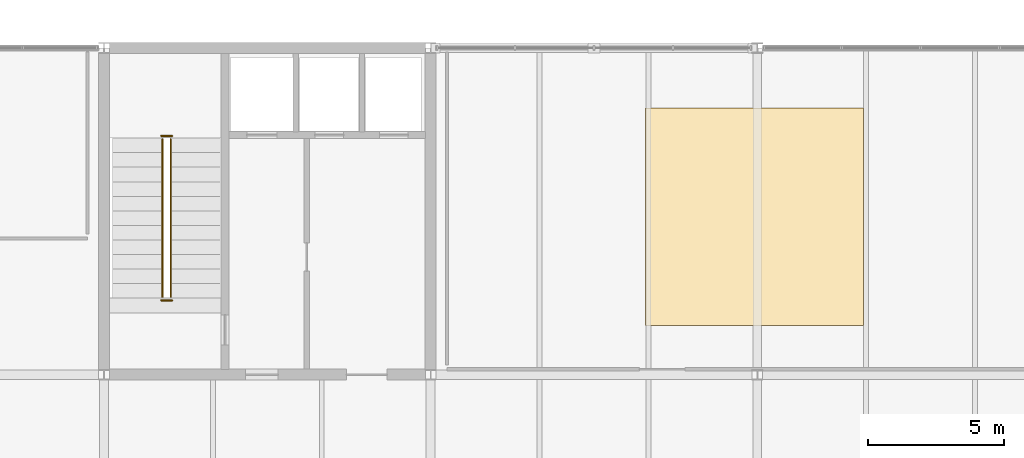
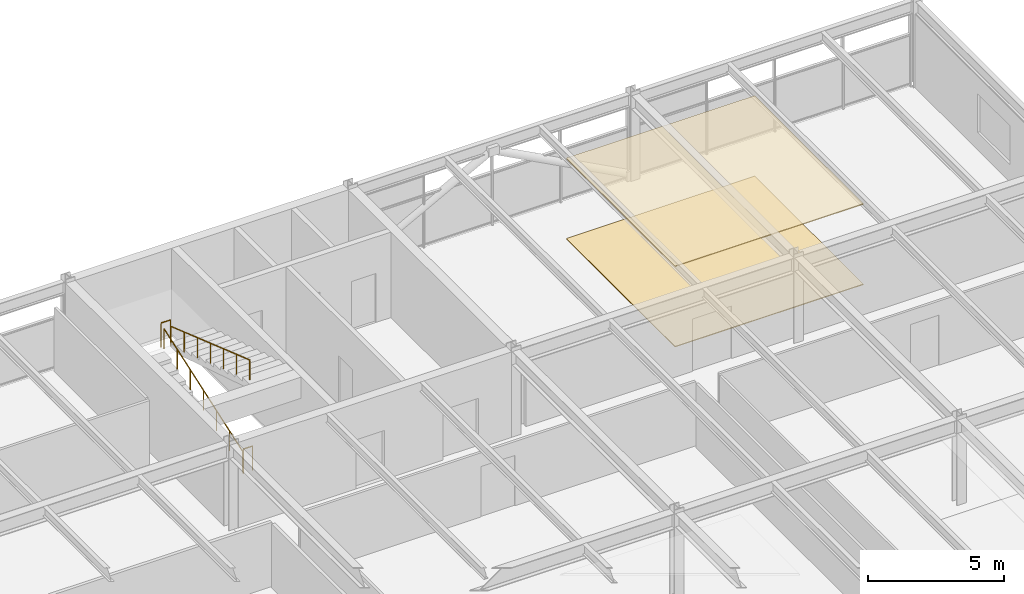
# One storey, part 49 of 49: 4 railings, 2 coverings.
"""IFC4 building model written with IfcOpenShell, lengths in metres."""

from ifc_helpers import new_model, si_unit, direction, frame, origin, origin_2d, place, context, subcontext, project, spatial, rectangle, circle, extrude, material, layer, layer_set, type_object, element, save


model = new_model("IFC4")

# Units and contexts
model_context = context("Model", 3, precision=1e-05, world=origin(), true_north=direction((0.0, 1.0)))
body_context = subcontext(model_context, "Body", "Model", "MODEL_VIEW")
ifc_project = project(units=[si_unit("LENGTHUNIT", "METRE"), si_unit("AREAUNIT", "SQUARE_METRE"), si_unit("VOLUMEUNIT", "CUBIC_METRE"), si_unit("PLANEANGLEUNIT", "RADIAN"), si_unit("MASSUNIT", "GRAM", prefix="KILO")], contexts=[model_context])

# Site, building, storey
site_placement = place(None, origin())
site = spatial("IfcSite", under=ifc_project, at=site_placement, CompositionType="ELEMENT")
building_placement = place(site_placement, origin())
building = spatial("IfcBuilding", under=site, at=building_placement, Name="Girod Span Mobility Hub", CompositionType="ELEMENT")
storey_placement = place(building_placement, frame((0.0, 0.0, 37.60009765625)))
storey = spatial("IfcBuildingStorey", under=building, at=storey_placement, Name="L09", CompositionType="ELEMENT", Elevation=37.60009765625)

# Coverings
ifc_material_1 = material(Name="Perforated Mineral-Fibre Acoustic Ceiling Tile", Category="mineral")
ifc_layer_1 = layer(ifc_material_1, 0.0400390625)
ifc_layer_set_1 = layer_set([ifc_layer_1], Name="Perforated Mineral-Fibre Acoustic Ceiling Tile")
covering_type_1 = type_object("IfcCoveringType", Name="COV-CLG-800X800", PredefinedType="CEILING", material=ifc_layer_set_1)
covering_1_placement = place(storey_placement, frame((131.89990234375, 62.800048828125, 3.60498046875), z_axis=(0.0, 0.0, 1.0), x_axis=(1.0, 0.0, 0.0)))
element("IfcCovering", 1, at=covering_1_placement, inside=storey, type_object=covering_type_1, Name="Engineering Studio East L09 Acoustic Ceiling", PredefinedType="CEILING", context=body_context, shape_type="SweptSolid", body=[
    extrude(rectangle(XDim=8.0, YDim=8.0, at=origin_2d()), origin(), (0.0, 0.0, 1.0), 0.0400390625),
])
ifc_material_2 = material(Name="Epoxy Terrazzo and Raised Access Flooring", Category="polymer")
ifc_layer_2 = layer(ifc_material_2, 0.034912109375)
ifc_layer_set_2 = layer_set([ifc_layer_2], Name="Epoxy Terrazzo and Raised Access Flooring")
covering_type_2 = type_object("IfcCoveringType", Name="COV-FLR-800X800", PredefinedType="FLOORING", material=ifc_layer_set_2)
covering_2_placement = place(storey_placement, frame((131.89990234375, 62.800048828125, 0.0), z_axis=(0.0, 0.0, 1.0), x_axis=(1.0, 0.0, 0.0)))
element("IfcCovering", 2, at=covering_2_placement, inside=storey, type_object=covering_type_2, Name="Engineering Studio East L09 Floor Finish", PredefinedType="FLOORING", context=body_context, shape_type="SweptSolid", body=[
    extrude(rectangle(XDim=8.0, YDim=8.0, at=origin_2d()), origin(), (0.0, 0.0, 1.0), 0.034912109375),
])

# Railings
ifc_material_3 = material(Name="Painted Galvanised Steel", Category="steel")
ifc_layer_3 = layer(ifc_material_3, 0.06494140625)
ifc_layer_set_3 = layer_set([ifc_layer_3], Name="Painted Galvanised Steel")
railing_type_1 = type_object("IfcRailingType", Name="RL-GRD-1120", PredefinedType="GUARDRAIL", material=ifc_layer_set_3)
for number, where, name in (
    (3, (110.10009765625, 65.77001953125, 2.0), "Stair ST-2 Half-Landing Well Guard L09"),
    (4, (110.10009765625, 59.72998046875, 0.0), "Stair ST-2 Landing Well Guard L09"),
):
    element("IfcRailing", number, at=place(storey_placement, frame(where)), inside=storey, type_object=railing_type_1, Name=name, PredefinedType="GUARDRAIL", context=body_context, shape_type="SweptSolid", body=[
        extrude(circle(Radius=0.02392578125, at=origin_2d()), frame((0.0, 0.0, 1.09619140625), z_axis=(1.0, 0.0, 0.0), x_axis=(0.0, 1.0, 0.0)), (0.0, 0.0, 1.0), 0.39990234375),
        extrude(circle(Radius=0.02099609375, at=origin_2d()), origin(), (0.0, 0.0, 1.0), 1.072021484375),
        extrude(circle(Radius=0.02099609375, at=origin_2d()), frame((0.39990234375, 0.0, 0.0)), (0.0, 0.0, 1.0), 1.072021484375),
    ])
ifc_material_4 = material(Name="Painted Galvanised Steel", Category="steel")
ifc_layer_4 = layer(ifc_material_4, 0.050048828125)
ifc_layer_set_4 = layer_set([ifc_layer_4], Name="Painted Galvanised Steel")
railing_type_2 = type_object("IfcRailingType", Name="RL-HR-920", PredefinedType="HANDRAIL", material=ifc_layer_set_4)
railing_1_placement = place(storey_placement, frame((110.14990234375, 59.860107421875, 0.0)))
element("IfcRailing", 5, at=railing_1_placement, inside=storey, type_object=railing_type_2, Name="Stair ST-2 Flight 1 Handrail L09", PredefinedType="HANDRAIL", context=body_context, shape_type="SweptSolid", body=[
    extrude(circle(Radius=0.02392578125, at=origin_2d()), frame((0.0, 0.0, 0.89599609375), z_axis=(0.0, 0.945021187488, 0.327009105681), x_axis=(-1.0, 0.0, 0.0)), (0.0, 0.0, 1.0), 6.115966796875),
    extrude(circle(Radius=0.02099609375, at=origin_2d()), origin(), (0.0, 0.0, 1.0), 0.871826171875),
    extrude(circle(Radius=0.02099609375, at=origin_2d()), frame((0.0, 0.96337890625, 0.333251953125)), (0.0, 0.0, 1.0), 0.871826171875),
    extrude(circle(Radius=0.02099609375, at=origin_2d()), frame((0.0, 1.926513671875, 0.666748046875)), (0.0, 0.0, 1.0), 0.871826171875),
    extrude(circle(Radius=0.02099609375, at=origin_2d()), frame((0.0, 2.889892578125, 1.0)), (0.0, 0.0, 1.0), 0.871826171875),
    extrude(circle(Radius=0.02099609375, at=origin_2d()), frame((0.0, 3.853271484375, 1.333251953125)), (0.0, 0.0, 1.0), 0.871826171875),
    extrude(circle(Radius=0.02099609375, at=origin_2d()), frame((0.0, 4.81640625, 1.666748046875)), (0.0, 0.0, 1.0), 0.871826171875),
    extrude(circle(Radius=0.02099609375, at=origin_2d()), frame((0.0, 5.77978515625, 2.0)), (0.0, 0.0, 1.0), 0.871826171875),
])
railing_2_placement = place(storey_placement, frame((110.449951171875, 65.639892578125, 2.0)))
element("IfcRailing", 6, at=railing_2_placement, inside=storey, type_object=railing_type_2, Name="Stair ST-2 Flight 2 Handrail L09", PredefinedType="HANDRAIL", context=body_context, shape_type="SweptSolid", body=[
    extrude(circle(Radius=0.02392578125, at=origin_2d()), frame((0.0, 0.0, 0.89599609375), z_axis=(0.0, -0.945021187488, 0.327009105681), x_axis=(1.0, 0.0, 0.0)), (0.0, 0.0, 1.0), 6.115966796875),
    extrude(circle(Radius=0.02099609375, at=origin_2d()), origin(), (0.0, 0.0, 1.0), 0.871826171875),
    extrude(circle(Radius=0.02099609375, at=origin_2d()), frame((0.0, -0.96337890625, 0.333251953125)), (0.0, 0.0, 1.0), 0.871826171875),
    extrude(circle(Radius=0.02099609375, at=origin_2d()), frame((0.0, -1.926513671875, 0.666748046875)), (0.0, 0.0, 1.0), 0.871826171875),
    extrude(circle(Radius=0.02099609375, at=origin_2d()), frame((0.0, -2.889892578125, 1.0)), (0.0, 0.0, 1.0), 0.871826171875),
    extrude(circle(Radius=0.02099609375, at=origin_2d()), frame((0.0, -3.853271484375, 1.333251953125)), (0.0, 0.0, 1.0), 0.871826171875),
    extrude(circle(Radius=0.02099609375, at=origin_2d()), frame((0.0, -4.81640625, 1.666748046875)), (0.0, 0.0, 1.0), 0.871826171875),
    extrude(circle(Radius=0.02099609375, at=origin_2d()), frame((0.0, -5.77978515625, 2.0)), (0.0, 0.0, 1.0), 0.871826171875),
])

save(model, "model.ifc")
